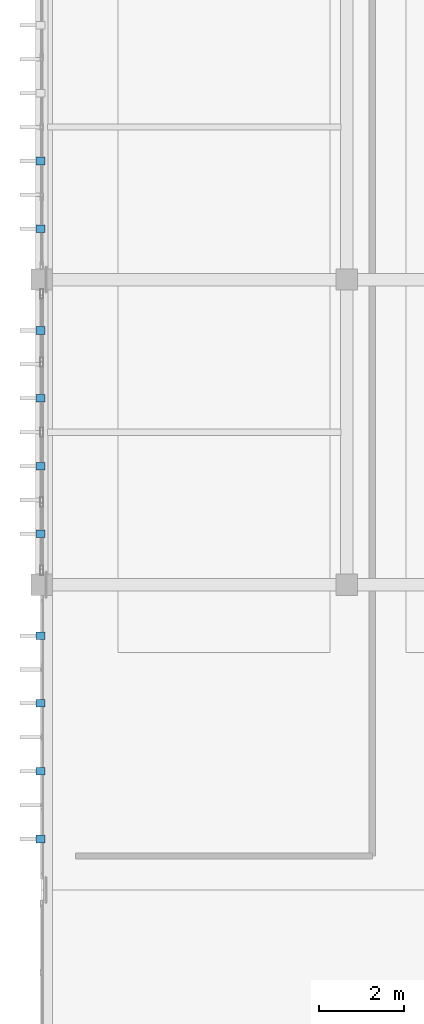
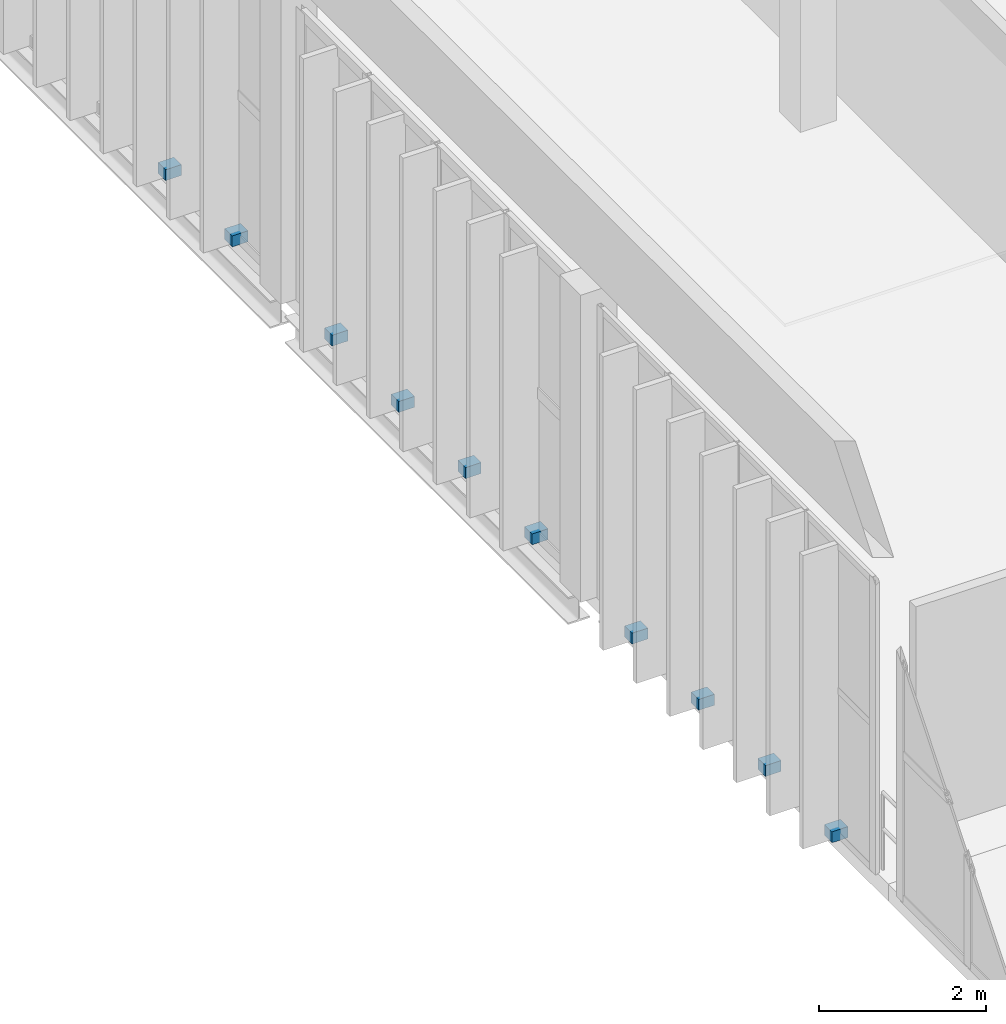
# One storey, part 50 of 64: 10 discrete accessories.
"""IFC4 building model written with IfcOpenShell, lengths in metres."""

from ifc_helpers import new_model, si_unit, direction, frame, origin, origin_2d, place, context, subcontext, project, spatial, rectangle, extrude, material, type_object, element, save


model = new_model("IFC4")

# Units and contexts
model_context = context("Model", 3, precision=1e-05, world=origin(), true_north=direction((0.0, 1.0)))
body_context = subcontext(model_context, "Body", "Model", "MODEL_VIEW")
ifc_project = project(units=[si_unit("LENGTHUNIT", "METRE"), si_unit("AREAUNIT", "SQUARE_METRE"), si_unit("VOLUMEUNIT", "CUBIC_METRE"), si_unit("PLANEANGLEUNIT", "RADIAN"), si_unit("MASSUNIT", "GRAM", prefix="KILO")], contexts=[model_context])

# Site, building, storey
site_placement = place(None, origin())
site = spatial("IfcSite", under=ifc_project, at=site_placement, CompositionType="ELEMENT")
building_placement = place(site_placement, origin())
building = spatial("IfcBuilding", under=site, at=building_placement, Name="Qandorah Velis Arena", CompositionType="ELEMENT")
storey_placement = place(building_placement, frame((0.0, 0.0, 23.0)))
storey = spatial("IfcBuildingStorey", under=building, at=storey_placement, Name="L05", CompositionType="ELEMENT", Elevation=23.0)

# Discrete accessories
ifc_material = material(Name="Stainless steel 316", Category="steel")
discrete_accessory_type = type_object("IfcDiscreteAccessoryType", Name="ARC-ACC-BRK", PredefinedType="BRACKET", material=ifc_material)
for number, where, z_axis, x_axis, name in (
    (1, (-0.030029296875, 15.60009765625, -0.02001953125), (0.0, 0.0, 1.0), (1.0, 0.0, 0.0), "Solar fin mounting bracket BRK-0171"),
    (2, (-0.030029296875, 17.199951171875, -0.02001953125), (0.0, 0.0, 1.0), (1.0, 0.0, 0.0), "Solar fin mounting bracket BRK-0172"),
    (3, (-0.030029296875, 18.800048828125, -0.02001953125), (0.0, 0.0, 1.0), (1.0, 0.0, 0.0), "Solar fin mounting bracket BRK-0173"),
    (4, (-0.030029296875, 20.39990234375, -0.02001953125), (0.0, 0.0, 1.0), (1.0, 0.0, 0.0), "Solar fin mounting bracket BRK-0174"),
    (5, (-0.030029296875, 22.800048828125, -0.02001953125), (0.0, 0.0, 1.0), (1.0, 0.0, 0.0), "Solar fin mounting bracket BRK-0175"),
    (6, (-0.030029296875, 24.39990234375, -0.02001953125), (0.0, 0.0, 1.0), (1.0, 0.0, 0.0), "Solar fin mounting bracket BRK-0176"),
    (7, (-0.030029296875, 26.0, -0.02001953125), (0.0, 0.0, 1.0), (1.0, 0.0, 0.0), "Solar fin mounting bracket BRK-0177"),
    (8, (-0.030029296875, 27.60009765625, -0.02001953125), (0.0, 0.0, 1.0), (1.0, 0.0, 0.0), "Solar fin mounting bracket BRK-0178"),
    (9, (-0.030029296875, 30.0, -0.02001953125), (0.0, 0.0, 1.0), (1.0, 0.0, 0.0), "Solar fin mounting bracket BRK-0179"),
    (10, (-0.030029296875, 31.60009765625, -0.02001953125), (0.0, 0.0, 1.0), (1.0, 0.0, 0.0), "Solar fin mounting bracket BRK-0180"),
):
    element("IfcDiscreteAccessory", number, at=place(storey_placement, frame(where, z_axis=z_axis, x_axis=x_axis)), inside=storey, type_object=discrete_accessory_type, Name=name, PredefinedType="BRACKET", context=body_context, shape_type="SweptSolid", body=[
        extrude(rectangle(XDim=0.219970703125, YDim=0.179931640625, at=origin_2d()), origin(), (0.0, 0.0, 1.0), 0.159912109375),
    ])

save(model, "model.ifc")
